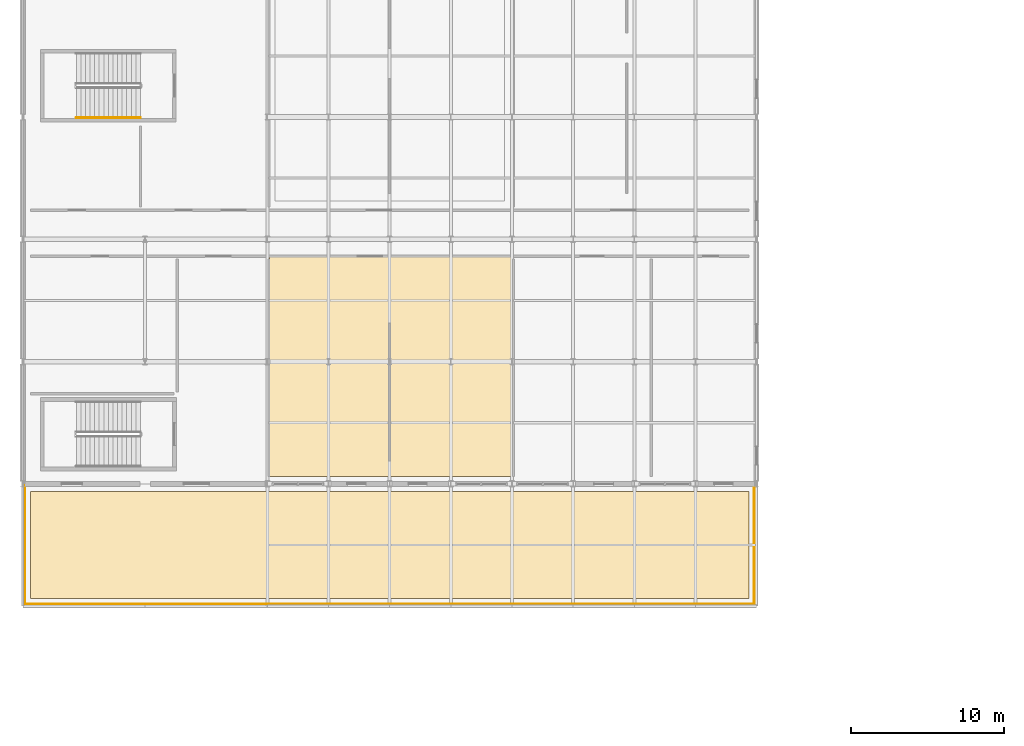
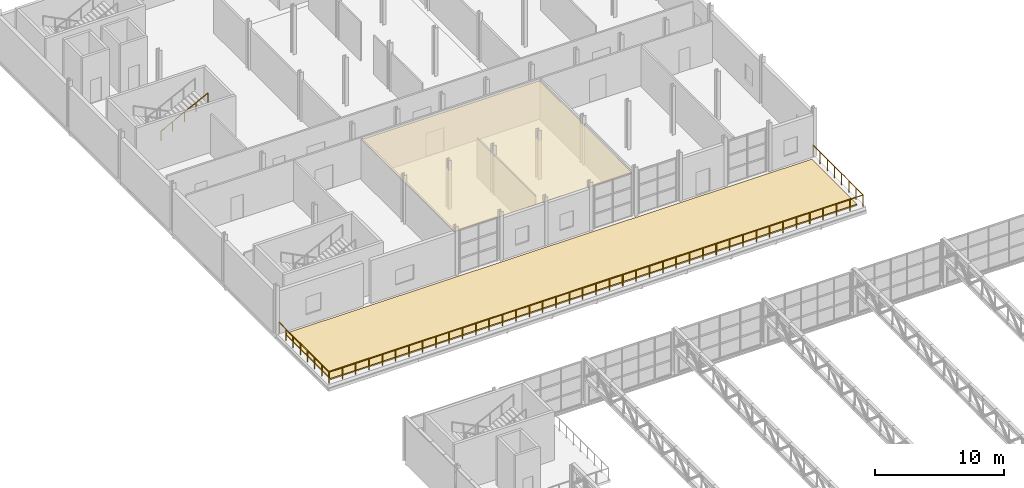
# One storey, part 65 of 67: 2 coverings, 2 railings.
"""IFC4 building model written with IfcOpenShell, lengths in metres."""

from ifc_helpers import new_model, si_unit, derived_unit, direction, frame, origin, origin_2d, place, context, subcontext, project, spatial, polyline, circle, outline, extrude, material, layer, layer_set, type_object, element, save


model = new_model("IFC4")

# Units and contexts
model_context = context("Model", 3, precision=1e-05, world=origin(), true_north=direction((0.0, 1.0)))
body_context = subcontext(model_context, "Body", "Model", "MODEL_VIEW")
ifc_project = project(units=[si_unit("LENGTHUNIT", "METRE"), si_unit("AREAUNIT", "SQUARE_METRE"), si_unit("VOLUMEUNIT", "CUBIC_METRE"), si_unit("PLANEANGLEUNIT", "RADIAN"), si_unit("MASSUNIT", "GRAM", prefix="KILO"), derived_unit("THERMALTRANSMITTANCEUNIT", [(si_unit("POWERUNIT", "WATT"), 1), (si_unit("LENGTHUNIT", "METRE"), -2), (si_unit("THERMODYNAMICTEMPERATUREUNIT", "KELVIN"), -1)])], contexts=[model_context])

# Site, building, storey
site_placement = place(None, origin())
site = spatial("IfcSite", under=ifc_project, at=site_placement, CompositionType="ELEMENT")
building_placement = place(site_placement, origin())
building = spatial("IfcBuilding", under=site, at=building_placement, Name="Keldorne Ridge Multi-Sports Centre", CompositionType="ELEMENT")
storey_placement = place(building_placement, frame((0.0, 0.0, 14.0)))
storey = spatial("IfcBuildingStorey", under=building, at=storey_placement, Name="L03", CompositionType="ELEMENT", Elevation=14.0)

# Coverings
ifc_material_1 = material(Name="Perforated acoustic mineral ceiling")
ifc_layer_1 = layer(ifc_material_1, 0.0400390625)
ifc_layer_set_1 = layer_set([ifc_layer_1])
covering_type_1 = type_object("IfcCoveringType", Name="COV-CL-01", PredefinedType="CEILING", material=ifc_layer_set_1)
covering_1_placement = place(storey_placement, frame((0.0, 0.0, 3.60009765625)))
element("IfcCovering", 1, at=covering_1_placement, inside=storey, type_object=covering_type_1, Name="Martial Arts Dojo acoustic ceiling", PredefinedType="CEILING", context=body_context, shape_type="SweptSolid", body=[
    extrude(outline(polyline([(120.14990234375, 74.5), (136.050048828125, 74.5), (136.050048828125, 88.85009765625), (120.14990234375, 88.85009765625), (120.14990234375, 74.5)])), origin(), (0.0, 0.0, 1.0), 0.039794921875),
])
ifc_material_2 = material(Name="EPDM and sedum extensive green roof")
ifc_layer_2 = layer(ifc_material_2, 0.1201171875)
ifc_layer_set_2 = layer_set([ifc_layer_2])
covering_type_2 = type_object("IfcCoveringType", Name="COV-RF-02", PredefinedType="MEMBRANE", material=ifc_layer_set_2)
covering_2_placement = place(storey_placement, origin())
element("IfcCovering", 2, at=covering_2_placement, inside=storey, type_object=covering_type_2, Name="Third floor stepped roof garden planting", PredefinedType="MEMBRANE", context=body_context, shape_type="SweptSolid", body=[
    extrude(outline(polyline([(104.5, 66.5), (151.5, 66.5), (151.5, 73.5), (104.5, 73.5), (104.5, 66.5)])), origin(), (0.0, 0.0, 1.0), 0.1201171875),
])

# Railings
ifc_material_3 = material(Name="Galvanized steel", Category="steel")
railing_type_1 = type_object("IfcRailingType", Name="RLG-GR-02", PredefinedType="GUARDRAIL", material=ifc_material_3)
railing_1_placement = place(storey_placement, frame((104.14990234375, 73.89990234375, 0.0)))
element("IfcRailing", 3, at=railing_1_placement, inside=storey, type_object=railing_type_1, Name="Perimeter safety guardrail RLG-GDN3-PER", PredefinedType="GUARDRAIL", context=body_context, shape_type="SweptSolid", body=[
    extrude(circle(Radius=0.02392578125, at=origin_2d()), frame((0.0, 0.0, 1.076171875), z_axis=(0.0, -1.0, 0.0), x_axis=(1.0, 0.0, 0.0)), (0.0, 0.0, 1.0), 7.75),
    extrude(circle(Radius=0.02392578125, at=origin_2d()), frame((0.0, -7.75, 1.076171875), z_axis=(1.0, 0.0, 0.0), x_axis=(0.0, 1.0, 0.0)), (0.0, 0.0, 1.0), 47.7001953125),
    extrude(circle(Radius=0.02392578125, at=origin_2d()), frame((47.7001953125, -7.75, 1.076171875), z_axis=(0.0, 1.0, 0.0), x_axis=(-1.0, 0.0, 0.0)), (0.0, 0.0, 1.0), 7.75),
    extrude(circle(Radius=0.02099609375, at=origin_2d()), origin(), (0.0, 0.0, 1.0), 1.052001953125),
    extrude(circle(Radius=0.02099609375, at=origin_2d()), frame((0.0, -1.107177734375, 0.0)), (0.0, 0.0, 1.0), 1.052001953125),
    extrude(circle(Radius=0.02099609375, at=origin_2d()), frame((0.0, -2.21435546875, 0.0)), (0.0, 0.0, 1.0), 1.052001953125),
    extrude(circle(Radius=0.02099609375, at=origin_2d()), frame((0.0, -3.321533203125, 0.0)), (0.0, 0.0, 1.0), 1.052001953125),
    extrude(circle(Radius=0.02099609375, at=origin_2d()), frame((0.0, -4.428466796875, 0.0)), (0.0, 0.0, 1.0), 1.052001953125),
    extrude(circle(Radius=0.02099609375, at=origin_2d()), frame((0.0, -5.53564453125, 0.0)), (0.0, 0.0, 1.0), 1.052001953125),
    extrude(circle(Radius=0.02099609375, at=origin_2d()), frame((0.0, -6.642822265625, 0.0)), (0.0, 0.0, 1.0), 1.052001953125),
    extrude(circle(Radius=0.02099609375, at=origin_2d()), frame((0.0, -7.75, 0.0)), (0.0, 0.0, 1.0), 1.052001953125),
    extrude(circle(Radius=0.02099609375, at=origin_2d()), frame((1.1923828125, -7.75, 0.0)), (0.0, 0.0, 1.0), 1.052001953125),
    extrude(circle(Radius=0.02099609375, at=origin_2d()), frame((2.385009765625, -7.75, 0.0)), (0.0, 0.0, 1.0), 1.052001953125),
    extrude(circle(Radius=0.02099609375, at=origin_2d()), frame((3.57763671875, -7.75, 0.0)), (0.0, 0.0, 1.0), 1.052001953125),
    extrude(circle(Radius=0.02099609375, at=origin_2d()), frame((4.77001953125, -7.75, 0.0)), (0.0, 0.0, 1.0), 1.052001953125),
    extrude(circle(Radius=0.02099609375, at=origin_2d()), frame((5.96240234375, -7.75, 0.0)), (0.0, 0.0, 1.0), 1.052001953125),
    extrude(circle(Radius=0.02099609375, at=origin_2d()), frame((7.155029296875, -7.75, 0.0)), (0.0, 0.0, 1.0), 1.052001953125),
    extrude(circle(Radius=0.02099609375, at=origin_2d()), frame((8.34765625, -7.75, 0.0)), (0.0, 0.0, 1.0), 1.052001953125),
    extrude(circle(Radius=0.02099609375, at=origin_2d()), frame((9.5400390625, -7.75, 0.0)), (0.0, 0.0, 1.0), 1.052001953125),
    extrude(circle(Radius=0.02099609375, at=origin_2d()), frame((10.732421875, -7.75, 0.0)), (0.0, 0.0, 1.0), 1.052001953125),
    extrude(circle(Radius=0.02099609375, at=origin_2d()), frame((11.925048828125, -7.75, 0.0)), (0.0, 0.0, 1.0), 1.052001953125),
    extrude(circle(Radius=0.02099609375, at=origin_2d()), frame((13.11767578125, -7.75, 0.0)), (0.0, 0.0, 1.0), 1.052001953125),
    extrude(circle(Radius=0.02099609375, at=origin_2d()), frame((14.31005859375, -7.75, 0.0)), (0.0, 0.0, 1.0), 1.052001953125),
    extrude(circle(Radius=0.02099609375, at=origin_2d()), frame((15.50244140625, -7.75, 0.0)), (0.0, 0.0, 1.0), 1.052001953125),
    extrude(circle(Radius=0.02099609375, at=origin_2d()), frame((16.695068359375, -7.75, 0.0)), (0.0, 0.0, 1.0), 1.052001953125),
    extrude(circle(Radius=0.02099609375, at=origin_2d()), frame((17.8876953125, -7.75, 0.0)), (0.0, 0.0, 1.0), 1.052001953125),
    extrude(circle(Radius=0.02099609375, at=origin_2d()), frame((19.080078125, -7.75, 0.0)), (0.0, 0.0, 1.0), 1.052001953125),
    extrude(circle(Radius=0.02099609375, at=origin_2d()), frame((20.2724609375, -7.75, 0.0)), (0.0, 0.0, 1.0), 1.052001953125),
    extrude(circle(Radius=0.02099609375, at=origin_2d()), frame((21.465087890625, -7.75, 0.0)), (0.0, 0.0, 1.0), 1.052001953125),
    extrude(circle(Radius=0.02099609375, at=origin_2d()), frame((22.65771484375, -7.75, 0.0)), (0.0, 0.0, 1.0), 1.052001953125),
    extrude(circle(Radius=0.02099609375, at=origin_2d()), frame((23.85009765625, -7.75, 0.0)), (0.0, 0.0, 1.0), 1.052001953125),
    extrude(circle(Radius=0.02099609375, at=origin_2d()), frame((25.04248046875, -7.75, 0.0)), (0.0, 0.0, 1.0), 1.052001953125),
    extrude(circle(Radius=0.02099609375, at=origin_2d()), frame((26.235107421875, -7.75, 0.0)), (0.0, 0.0, 1.0), 1.052001953125),
    extrude(circle(Radius=0.02099609375, at=origin_2d()), frame((27.427490234375, -7.75, 0.0)), (0.0, 0.0, 1.0), 1.052001953125),
    extrude(circle(Radius=0.02099609375, at=origin_2d()), frame((28.6201171875, -7.75, 0.0)), (0.0, 0.0, 1.0), 1.052001953125),
    extrude(circle(Radius=0.02099609375, at=origin_2d()), frame((29.8125, -7.75, 0.0)), (0.0, 0.0, 1.0), 1.052001953125),
    extrude(circle(Radius=0.02099609375, at=origin_2d()), frame((31.005126953125, -7.75, 0.0)), (0.0, 0.0, 1.0), 1.052001953125),
    extrude(circle(Radius=0.02099609375, at=origin_2d()), frame((32.19775390625, -7.75, 0.0)), (0.0, 0.0, 1.0), 1.052001953125),
    extrude(circle(Radius=0.02099609375, at=origin_2d()), frame((33.39013671875, -7.75, 0.0)), (0.0, 0.0, 1.0), 1.052001953125),
    extrude(circle(Radius=0.02099609375, at=origin_2d()), frame((34.58251953125, -7.75, 0.0)), (0.0, 0.0, 1.0), 1.052001953125),
    extrude(circle(Radius=0.02099609375, at=origin_2d()), frame((35.775146484375, -7.75, 0.0)), (0.0, 0.0, 1.0), 1.052001953125),
    extrude(circle(Radius=0.02099609375, at=origin_2d()), frame((36.9677734375, -7.75, 0.0)), (0.0, 0.0, 1.0), 1.052001953125),
    extrude(circle(Radius=0.02099609375, at=origin_2d()), frame((38.16015625, -7.75, 0.0)), (0.0, 0.0, 1.0), 1.052001953125),
    extrude(circle(Radius=0.02099609375, at=origin_2d()), frame((39.3525390625, -7.75, 0.0)), (0.0, 0.0, 1.0), 1.052001953125),
    extrude(circle(Radius=0.02099609375, at=origin_2d()), frame((40.545166015625, -7.75, 0.0)), (0.0, 0.0, 1.0), 1.052001953125),
    extrude(circle(Radius=0.02099609375, at=origin_2d()), frame((41.73779296875, -7.75, 0.0)), (0.0, 0.0, 1.0), 1.052001953125),
    extrude(circle(Radius=0.02099609375, at=origin_2d()), frame((42.93017578125, -7.75, 0.0)), (0.0, 0.0, 1.0), 1.052001953125),
    extrude(circle(Radius=0.02099609375, at=origin_2d()), frame((44.12255859375, -7.75, 0.0)), (0.0, 0.0, 1.0), 1.052001953125),
    extrude(circle(Radius=0.02099609375, at=origin_2d()), frame((45.315185546875, -7.75, 0.0)), (0.0, 0.0, 1.0), 1.052001953125),
    extrude(circle(Radius=0.02099609375, at=origin_2d()), frame((46.5078125, -7.75, 0.0)), (0.0, 0.0, 1.0), 1.052001953125),
    extrude(circle(Radius=0.02099609375, at=origin_2d()), frame((47.7001953125, -7.75, 0.0)), (0.0, 0.0, 1.0), 1.052001953125),
    extrude(circle(Radius=0.02099609375, at=origin_2d()), frame((47.7001953125, -6.642822265625, 0.0)), (0.0, 0.0, 1.0), 1.052001953125),
    extrude(circle(Radius=0.02099609375, at=origin_2d()), frame((47.7001953125, -5.53564453125, 0.0)), (0.0, 0.0, 1.0), 1.052001953125),
    extrude(circle(Radius=0.02099609375, at=origin_2d()), frame((47.7001953125, -4.428466796875, 0.0)), (0.0, 0.0, 1.0), 1.052001953125),
    extrude(circle(Radius=0.02099609375, at=origin_2d()), frame((47.7001953125, -3.321533203125, 0.0)), (0.0, 0.0, 1.0), 1.052001953125),
    extrude(circle(Radius=0.02099609375, at=origin_2d()), frame((47.7001953125, -2.21435546875, 0.0)), (0.0, 0.0, 1.0), 1.052001953125),
    extrude(circle(Radius=0.02099609375, at=origin_2d()), frame((47.7001953125, -1.107177734375, 0.0)), (0.0, 0.0, 1.0), 1.052001953125),
    extrude(circle(Radius=0.02099609375, at=origin_2d()), frame((47.7001953125, 0.0, 0.0)), (0.0, 0.0, 1.0), 1.052001953125),
])
ifc_material_4 = material(Name="Stainless steel", Category="steel")
railing_type_2 = type_object("IfcRailingType", Name="RLG-HR-01", PredefinedType="HANDRAIL", material=ifc_material_4)
railing_2_placement = place(storey_placement, frame((107.5, 97.949951171875, 2.453369140625)))
element("IfcRailing", 4, at=railing_2_placement, inside=storey, type_object=railing_type_2, Name="L03 ST-11 stair handrail 2", PredefinedType="HANDRAIL", context=body_context, shape_type="SweptSolid", body=[
    extrude(circle(Radius=0.02392578125, at=origin_2d()), frame((0.0, 0.0, 0.8759765625), z_axis=(0.890427224097, 0.0, 0.455125651426), x_axis=(0.0, 1.0, 0.0)), (0.0, 0.0, 1.0), 4.716796875),
    extrude(circle(Radius=0.02099609375, at=origin_2d()), origin(), (0.0, 0.0, 1.0), 0.851806640625),
    extrude(circle(Radius=0.02099609375, at=origin_2d()), frame((1.050048828125, 0.0, 0.53662109375)), (0.0, 0.0, 1.0), 0.851806640625),
    extrude(circle(Radius=0.02099609375, at=origin_2d()), frame((2.10009765625, 0.0, 1.0732421875)), (0.0, 0.0, 1.0), 0.851806640625),
    extrude(circle(Radius=0.02099609375, at=origin_2d()), frame((3.14990234375, 0.0, 1.610107421875)), (0.0, 0.0, 1.0), 0.851806640625),
    extrude(circle(Radius=0.02099609375, at=origin_2d()), frame((4.199951171875, 0.0, 2.146728515625)), (0.0, 0.0, 1.0), 0.851806640625),
])

save(model, "model.ifc")
